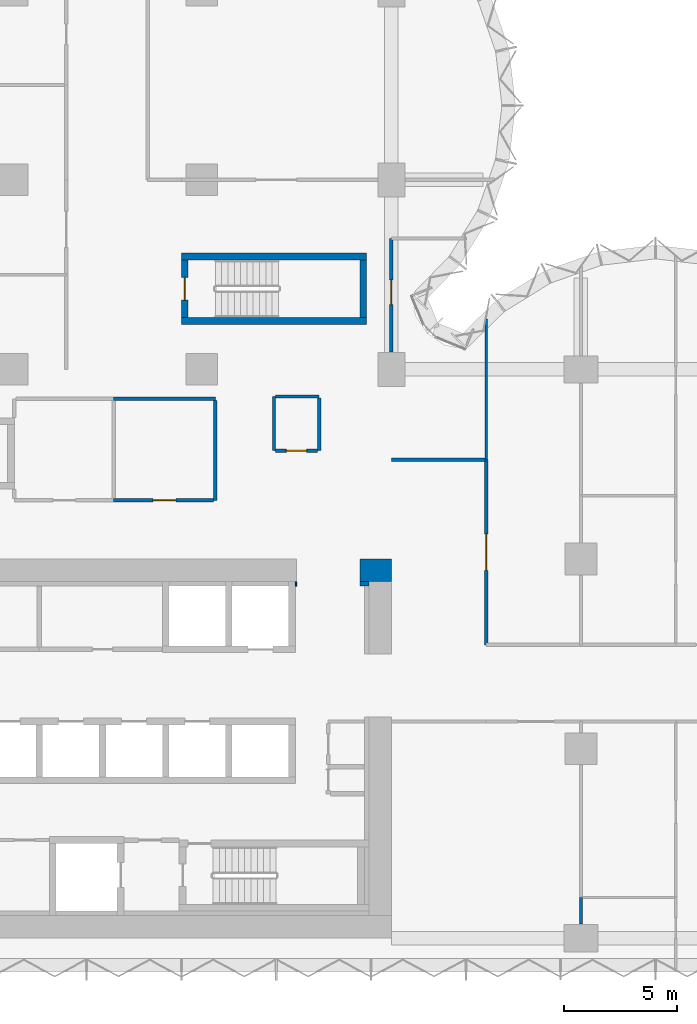
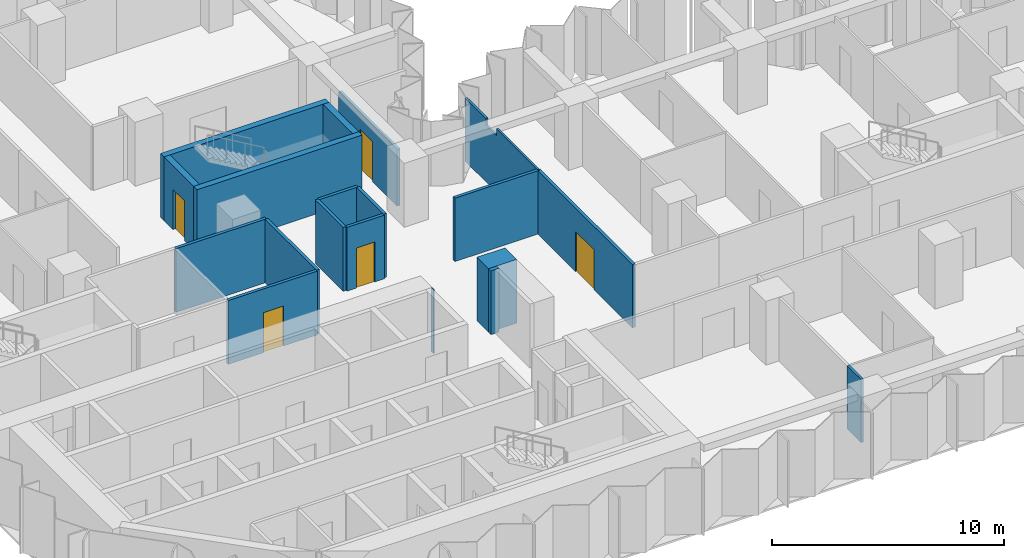
# One storey, part 9 of 15: 19 walls, 5 doors, 5 openings.
"""IFC4 building model written with IfcOpenShell, lengths in metres."""

from ifc_helpers import new_model, si_unit, direction, frame, frame_2d, origin, place, context, subcontext, project, spatial, polyline, rectangle, outline, extrude, material, layer, layer_set, type_object, element, fill, save


model = new_model("IFC4")

# Units and contexts
model_context = context("Model", 3, precision=1e-05, world=origin(), true_north=direction((0.0, 1.0)))
body_context = subcontext(model_context, "Body", "Model", "MODEL_VIEW")
ifc_project = project(units=[si_unit("LENGTHUNIT", "METRE"), si_unit("AREAUNIT", "SQUARE_METRE"), si_unit("VOLUMEUNIT", "CUBIC_METRE"), si_unit("PLANEANGLEUNIT", "RADIAN"), si_unit("MASSUNIT", "GRAM", prefix="KILO")], contexts=[model_context])

# Site, building, storey
site_placement = place(None, origin())
site = spatial("IfcSite", under=ifc_project, at=site_placement, CompositionType="ELEMENT")
building_placement = place(site_placement, origin())
building = spatial("IfcBuilding", under=site, at=building_placement, Name="Brevane Broadcast Tower", CompositionType="ELEMENT")
storey_placement = place(building_placement, frame((0.0, 0.0, 43.699951171875)))
storey = spatial("IfcBuildingStorey", under=building, at=storey_placement, Name="L08", CompositionType="ELEMENT", Elevation=43.699951171875)

# Walls
ifc_material_1 = material(Name="Concrete C32/40", Category="concrete")
ifc_layer_1 = layer(ifc_material_1, 0.199951171875)
ifc_layer_set_1 = layer_set([ifc_layer_1], Name="Core chase wall 200 mm")
wall_type_1 = type_object("IfcWallType", Name="Core chase wall 200 mm", PredefinedType="PARTITIONING", material=ifc_layer_set_1)
wall_1_placement = place(storey_placement, frame((23.800048828125, 15.699951171875, 0.0), z_axis=(0.0, 0.0, 1.0), x_axis=(1.0, 0.0, 0.0)))
element("IfcWall", 1, at=wall_1_placement, inside=storey, type_object=wall_type_1, Name="L08 chase wall LN2", PredefinedType="PARTITIONING", context=body_context, shape_type="SweptSolid", body=[
    extrude(rectangle(XDim=0.39990234375, YDim=0.199951171875, at=frame_2d((0.199951171875, 0.0))), origin(), (0.0, 0.0, 1.0), 3.35009765625),
])
wall_2_placement = place(storey_placement, frame((20.949951171875, 15.699951171875, 0.0), z_axis=(0.0, 0.0, 1.0), x_axis=(1.0, 0.0, 0.0)))
element("IfcWall", 2, at=wall_2_placement, inside=storey, type_object=wall_type_1, Name="L08 chase wall LN1-2-2-2-2", PredefinedType="PARTITIONING", context=body_context, shape_type="SweptSolid", body=[
    extrude(rectangle(XDim=0.050048828125, YDim=0.199951171875, at=frame_2d((0.02490234375, 0.0))), origin(), (0.0, 0.0, 1.0), 3.35009765625),
])
ifc_material_2 = material(Name="Gypsum board on steel studs", Category="steel")
ifc_layer_2 = layer(ifc_material_2, 0.14990234375)
ifc_layer_set_2 = layer_set([ifc_layer_2], Name="Core fire partition 150 mm")
wall_type_2 = type_object("IfcWallType", Name="Core fire partition 150 mm", PredefinedType="PARTITIONING", material=ifc_layer_set_2)
wall_3_placement = place(storey_placement, frame((12.89990234375, 23.89990234375, 0.0), z_axis=(0.0, 0.0, 1.0), x_axis=(1.0, 0.0, 0.0)))
element("IfcWall", 3, at=wall_3_placement, inside=storey, type_object=wall_type_2, Name="L08 partition wall P19", PredefinedType="PARTITIONING", context=body_context, shape_type="SweptSolid", body=[
    extrude(rectangle(XDim=4.5, YDim=0.14990234375, at=frame_2d((2.25, 0.0))), origin(), (0.0, 0.0, 1.0), 3.35009765625),
])
wall_4_placement = place(storey_placement, frame((17.39990234375, 23.824951171875, 0.0), z_axis=(0.0, 0.0, 1.0), x_axis=(0.0, -1.0, 0.0)))
element("IfcWall", 4, at=wall_4_placement, inside=storey, type_object=wall_type_2, Name="L08 partition wall P20", PredefinedType="PARTITIONING", context=body_context, shape_type="SweptSolid", body=[
    extrude(rectangle(XDim=4.425048828125, YDim=0.14990234375, at=frame_2d((2.21240234375, 0.0))), origin(), (0.0, 0.0, 1.0), 3.35009765625),
])

# Wall, opening, door
wall_5_placement = place(storey_placement, frame((17.324951171875, 19.39990234375, 0.0), z_axis=(0.0, 0.0, 1.0), x_axis=(-1.0, 0.0, 0.0)))
wall_5 = element("IfcWall", 5, at=wall_5_placement, inside=storey, type_object=wall_type_2, Name="L08 partition wall P21", PredefinedType="PARTITIONING", context=body_context, shape_type="SweptSolid", body=[
    extrude(rectangle(XDim=4.425048828125, YDim=0.14990234375, at=frame_2d((2.21240234375, 0.0))), origin(), (0.0, 0.0, 1.0), 3.35009765625),
])
opening_1_placement = place(wall_5_placement, frame((1.675048828125, 0.0, 0.0)))
opening_1 = element("IfcOpeningElement", 6, at=opening_1_placement, cuts=wall_5, Name="Opening L08-K26", PredefinedType="OPENING", context=body_context, shape_type="SweptSolid", body=[
    extrude(rectangle(XDim=1.0, YDim=2.10009765625, at=frame_2d((0.5, 1.050048828125))), frame((0.0, 0.0849609375, 0.0), z_axis=(0.0, -1.0, 0.0), x_axis=(1.0, 0.0, 0.0)), (0.0, 0.0, 1.0), 0.169921875),
])
ifc_material_3 = material(Name="Steel", Category="steel")
door_type_1 = type_object("IfcDoorType", Name="Service room door 1000 x 2100", OperationType="SINGLE_SWING_LEFT", PredefinedType="DOOR", material=ifc_material_3)
door_1_placement = place(opening_1_placement, origin())
door_1 = element("IfcDoor", 7, at=door_1_placement, inside=storey, type_object=door_type_1, Name="Door L08-K26", OperationType="SINGLE_SWING_RIGHT", OverallHeight=2.10009765625, OverallWidth=1.0, PredefinedType="DOOR", context=body_context, shape_type="SweptSolid", body=[
    extrude(rectangle(XDim=1.0, YDim=2.10009765625, at=frame_2d((0.5, 1.050048828125))), frame((0.0, 0.02490234375, 0.0), z_axis=(0.0, -1.0, 0.0), x_axis=(1.0, 0.0, 0.0)), (0.0, 0.0, 1.0), 0.050048828125),
])
fill(opening_1, door_1)

# Walls
wall_6_placement = place(storey_placement, frame((20.0, 21.60009765625, 0.0), z_axis=(0.0, 0.0, 1.0), x_axis=(0.0, 1.0, 0.0)))
element("IfcWall", 8, at=wall_6_placement, inside=storey, type_object=wall_type_2, Name="L08 partition wall P25", PredefinedType="PARTITIONING", context=body_context, shape_type="SweptSolid", body=[
    extrude(rectangle(XDim=2.39990234375, YDim=0.14990234375, at=frame_2d((1.199951171875, 0.0))), origin(), (0.0, 0.0, 1.0), 3.35009765625),
])
wall_7_placement = place(storey_placement, frame((20.074951171875, 24.0, 0.0), z_axis=(0.0, 0.0, 1.0), x_axis=(1.0, 0.0, 0.0)))
element("IfcWall", 9, at=wall_7_placement, inside=storey, type_object=wall_type_2, Name="L08 partition wall P26", PredefinedType="PARTITIONING", context=body_context, shape_type="SweptSolid", body=[
    extrude(rectangle(XDim=1.925048828125, YDim=0.14990234375, at=frame_2d((0.96240234375, 0.0))), origin(), (0.0, 0.0, 1.0), 3.35009765625),
])
wall_8_placement = place(storey_placement, frame((22.0, 23.925048828125, 0.0), z_axis=(0.0, 0.0, 1.0), x_axis=(0.0, -1.0, 0.0)))
element("IfcWall", 10, at=wall_8_placement, inside=storey, type_object=wall_type_2, Name="L08 partition wall P27", PredefinedType="PARTITIONING", context=body_context, shape_type="SweptSolid", body=[
    extrude(rectangle(XDim=2.324951171875, YDim=0.14990234375, at=frame_2d((1.16259765625, 0.0))), origin(), (0.0, 0.0, 1.0), 3.35009765625),
])

# Wall, opening, door
wall_9_placement = place(storey_placement, frame((21.925048828125, 21.60009765625, 0.0), z_axis=(0.0, 0.0, 1.0), x_axis=(-1.0, 0.0, 0.0)))
wall_9 = element("IfcWall", 11, at=wall_9_placement, inside=storey, type_object=wall_type_2, Name="L08 partition wall P28", PredefinedType="PARTITIONING", context=body_context, shape_type="SweptSolid", body=[
    extrude(rectangle(XDim=1.85009765625, YDim=0.14990234375, at=frame_2d((0.925048828125, 0.0))), origin(), (0.0, 0.0, 1.0), 3.35009765625),
])
opening_2_placement = place(wall_9_placement, frame((0.47509765625, 0.0, 0.0)))
opening_2 = element("IfcOpeningElement", 12, at=opening_2_placement, cuts=wall_9, Name="Opening L08-K24", PredefinedType="OPENING", context=body_context, shape_type="SweptSolid", body=[
    extrude(rectangle(XDim=0.89990234375, YDim=2.10009765625, at=frame_2d((0.449951171875, 1.050048828125))), frame((0.0, 0.0849609375, 0.0), z_axis=(0.0, -1.0, 0.0), x_axis=(1.0, 0.0, 0.0)), (0.0, 0.0, 1.0), 0.169921875),
])
ifc_material_4 = material(Name="Timber", Category="wood")
door_type_2 = type_object("IfcDoorType", Name="Toilet door 900 x 2100", OperationType="SINGLE_SWING_LEFT", PredefinedType="DOOR", material=ifc_material_4)
door_2_placement = place(opening_2_placement, origin())
door_2 = element("IfcDoor", 13, at=door_2_placement, inside=storey, type_object=door_type_2, Name="Door L08-K24", OperationType="SINGLE_SWING_RIGHT", OverallHeight=2.10009765625, OverallWidth=0.89990234375, PredefinedType="DOOR", context=body_context, shape_type="SweptSolid", body=[
    extrude(rectangle(XDim=0.89990234375, YDim=2.10009765625, at=frame_2d((0.449951171875, 1.050048828125))), frame((0.0, 0.02490234375, 0.0), z_axis=(0.0, -1.0, 0.0), x_axis=(1.0, 0.0, 0.0)), (0.0, 0.0, 1.0), 0.050048828125),
])
fill(opening_2, door_2)

# Walls
ifc_material_5 = material(Name="Concrete C80/95", Category="concrete")
ifc_layer_3 = layer(ifc_material_5, 1.0)
ifc_layer_set_3 = layer_set([ifc_layer_3], Name="Core wall 1000 mm C80/95")
wall_type_3 = type_object("IfcWallType", Name="Core wall 1000 mm C80/95", PredefinedType="SHEAR", material=ifc_layer_set_3)
wall_10_placement = place(storey_placement, frame((23.800048828125, 16.300048828125, 0.0), z_axis=(0.0, 0.0, 1.0), x_axis=(1.0, 0.0, 0.0)))
element("IfcWall", 14, at=wall_10_placement, inside=storey, type_object=wall_type_3, Name="L08 outer wall WN2", PredefinedType="SHEAR", context=body_context, shape_type="SweptSolid", body=[
    extrude(rectangle(XDim=1.39990234375, YDim=1.0, at=frame_2d((0.699951171875, 0.0))), origin(), (0.0, 0.0, 1.0), 3.35009765625),
])
ifc_layer_4 = layer(ifc_material_5, 0.300048828125)
ifc_layer_set_4 = layer_set([ifc_layer_4], Name="Core wall 300 mm C80/95")
wall_type_4 = type_object("IfcWallType", Name="Core wall 300 mm C80/95", PredefinedType="SHEAR", material=ifc_layer_set_4)
for number, where, z_axis, x_axis, name in (
    (15, (15.89990234375, 27.35009765625, 0.0), (0.0, 0.0, 1.0), (1.0, 0.0, 0.0), "L08 stair wall ST-3-S"),
    (16, (15.89990234375, 30.199951171875, 0.0), (0.0, 0.0, 1.0), (1.0, 0.0, 0.0), "L08 stair wall ST-3-N"),
):
    element("IfcWall", number, at=place(storey_placement, frame(where, z_axis=z_axis, x_axis=x_axis)), inside=storey, type_object=wall_type_4, Name=name, PredefinedType="SHEAR", context=body_context, shape_type="SweptSolid", body=[
        extrude(rectangle(XDim=8.2001953125, YDim=0.300048828125, at=frame_2d((4.10009765625, 0.0))), origin(), (0.0, 0.0, 1.0), 3.35009765625),
    ])

# Wall, opening, door
wall_11_placement = place(storey_placement, frame((16.050048828125, 27.5, 0.0), z_axis=(0.0, 0.0, 1.0), x_axis=(0.0, 1.0, 0.0)))
wall_11 = element("IfcWall", 17, at=wall_11_placement, inside=storey, type_object=wall_type_4, Name="L08 stair wall ST-3-W", PredefinedType="SHEAR", context=body_context, shape_type="SweptSolid", body=[
    extrude(rectangle(XDim=2.550048828125, YDim=0.300048828125, at=frame_2d((1.27490234375, 0.0))), origin(), (0.0, 0.0, 1.0), 3.35009765625),
])
opening_3_placement = place(wall_11_placement, frame((0.77490234375, 0.0, 0.0)))
opening_3 = element("IfcOpeningElement", 18, at=opening_3_placement, cuts=wall_11, Name="Opening L08-K14", PredefinedType="OPENING", context=body_context, shape_type="SweptSolid", body=[
    extrude(rectangle(XDim=1.0, YDim=2.10009765625, at=frame_2d((0.5, 1.050048828125))), frame((0.0, 0.159912109375, 0.0), z_axis=(0.0, -1.0, 0.0), x_axis=(1.0, 0.0, 0.0)), (0.0, 0.0, 1.0), 0.320068359375),
])
door_type_3 = type_object("IfcDoorType", Name="Stair door 1000 x 2100", OperationType="SINGLE_SWING_LEFT", PredefinedType="DOOR", material=ifc_material_3)
door_3_placement = place(opening_3_placement, origin())
door_3 = element("IfcDoor", 19, at=door_3_placement, inside=storey, type_object=door_type_3, Name="Door L08-K14", OperationType="SINGLE_SWING_RIGHT", OverallHeight=2.10009765625, OverallWidth=1.0, PredefinedType="DOOR", context=body_context, shape_type="SweptSolid", body=[
    extrude(rectangle(XDim=1.0, YDim=2.10009765625, at=frame_2d((0.5, 1.050048828125))), frame((0.0, 0.02490234375, 0.0), z_axis=(0.0, -1.0, 0.0), x_axis=(1.0, 0.0, 0.0)), (0.0, 0.0, 1.0), 0.050048828125),
])
fill(opening_3, door_3)

# Walls
wall_12_placement = place(storey_placement, frame((23.949951171875, 27.5, 0.0), z_axis=(0.0, 0.0, 1.0), x_axis=(0.0, 1.0, 0.0)))
element("IfcWall", 20, at=wall_12_placement, inside=storey, type_object=wall_type_4, Name="L08 stair wall ST-3-E", PredefinedType="SHEAR", context=body_context, shape_type="SweptSolid", body=[
    extrude(rectangle(XDim=2.550048828125, YDim=0.300048828125, at=frame_2d((1.27490234375, 0.0))), origin(), (0.0, 0.0, 1.0), 3.35009765625),
])
ifc_material_6 = material(Name="Gypsum board partition")
ifc_layer_5 = layer(ifc_material_6, 0.10009765625)
ifc_layer_set_5 = layer_set([ifc_layer_5], Name="PARTITION 100 STUD")
wall_type_5 = type_object("IfcWallType", Name="PARTITION 100 STUD", PredefinedType="PARTITIONING", material=ifc_layer_set_5)
wall_13_placement = place(storey_placement, frame((29.39990234375, 27.428955078125, 0.0), z_axis=(0.0, 0.0, 1.0), x_axis=(0.0, -1.0, 0.0)))
element("IfcWall", 21, at=wall_13_placement, inside=storey, type_object=wall_type_5, Name="Partition G01-004", PredefinedType="PARTITIONING", context=body_context, shape_type="SweptSolid", body=[
    extrude(outline(polyline([(0.0, 0.0), (6.22900390625, 0.0), (6.22900390625, 3.330078125), (2.678955078125, 3.330078125), (2.677001953125, 2.97998046875), (1.781005859375, 2.97998046875), (1.779052734375, 3.330078125), (0.154052734375, 3.330078125), (0.0, 3.330078125), (0.0, 0.0)])), frame((0.0, 0.050048828125, 0.0), z_axis=(0.0, -1.0, 0.0), x_axis=(1.0, 0.0, 0.0)), (0.0, 0.0, 1.0), 0.10009765625),
])
ifc_layer_6 = layer(ifc_material_6, 0.125)
ifc_layer_set_6 = layer_set([ifc_layer_6], Name="PARTITION 125 ACOUSTIC")
wall_type_6 = type_object("IfcWallType", Name="PARTITION 125 ACOUSTIC", PredefinedType="PARTITIONING", material=ifc_layer_set_6)
wall_14_placement = place(storey_placement, frame((33.60009765625, 1.800048828125, 0.0), z_axis=(0.0, 0.0, 1.0), x_axis=(0.0, -1.0, 0.0)))
element("IfcWall", 22, at=wall_14_placement, inside=storey, type_object=wall_type_6, Name="Partition G01-022", PredefinedType="PARTITIONING", context=body_context, shape_type="SweptSolid", body=[
    extrude(rectangle(XDim=1.179931640625, YDim=0.125, at=frame_2d((0.58984375, 0.0))), origin(), (0.0, 0.0, 1.0), 3.330078125),
])
ifc_layer_7 = layer(ifc_material_6, 0.14990234375)
ifc_layer_set_7 = layer_set([ifc_layer_7], Name="PARTITION 150 EI 60")
wall_type_7 = type_object("IfcWallType", Name="PARTITION 150 EI 60", PredefinedType="PARTITIONING", material=ifc_layer_set_7)
wall_15_placement = place(storey_placement, frame((25.199951171875, 21.199951171875, 0.0), z_axis=(0.0, 0.0, 1.0), x_axis=(1.0, 0.0, 0.0)))
element("IfcWall", 23, at=wall_15_placement, inside=storey, type_object=wall_type_7, Name="Partition G01-001", PredefinedType="PARTITIONING", context=body_context, shape_type="SweptSolid", body=[
    extrude(rectangle(XDim=4.199951171875, YDim=0.14990234375, at=frame_2d((2.10009765625, 0.0))), origin(), (0.0, 0.0, 1.0), 3.330078125),
])

# Wall, opening, door
wall_16_placement = place(storey_placement, frame((29.39990234375, 21.199951171875, 0.0), z_axis=(0.0, 0.0, 1.0), x_axis=(0.0, -1.0, 0.0)))
wall_16 = element("IfcWall", 24, at=wall_16_placement, inside=storey, type_object=wall_type_7, Name="Partition G01-003", PredefinedType="PARTITIONING", context=body_context, shape_type="SweptSolid", body=[
    extrude(rectangle(XDim=8.199951171875, YDim=0.14990234375, at=frame_2d((4.10009765625, 0.0))), origin(), (0.0, 0.0, 1.0), 3.330078125),
])
opening_4_placement = place(wall_16_placement, frame((3.300048828125, 0.0, 0.0)))
opening_4 = element("IfcOpeningElement", 25, at=opening_4_placement, cuts=wall_16, Name="Opening D07-011", PredefinedType="OPENING", context=body_context, shape_type="SweptSolid", body=[
    extrude(rectangle(XDim=1.60009765625, YDim=2.10009765625, at=frame_2d((0.800048828125, 1.050048828125))), frame((0.0, 0.0849609375, 0.0), z_axis=(0.0, -1.0, 0.0), x_axis=(1.0, 0.0, 0.0)), (0.0, 0.0, 1.0), 0.169921875),
])
ifc_material_7 = material(Name="Fire-rated timber door leaf", Category="wood")
door_type_4 = type_object("IfcDoorType", Name="DOOR DOUBLE 1600 FD30S", OperationType="DOUBLE_DOOR_SINGLE_SWING", PredefinedType="DOOR", material=ifc_material_7)
door_4_placement = place(opening_4_placement, origin())
door_4 = element("IfcDoor", 26, at=door_4_placement, inside=storey, type_object=door_type_4, Name="Door D07-011", OperationType="DOUBLE_DOOR_SINGLE_SWING", OverallHeight=2.10009765625, OverallWidth=1.60009765625, PredefinedType="DOOR", context=body_context, shape_type="SweptSolid", body=[
    extrude(rectangle(XDim=1.60009765625, YDim=2.10009765625, at=frame_2d((0.800048828125, 1.050048828125))), frame((0.0, 0.02490234375, 0.0), z_axis=(0.0, -1.0, 0.0), x_axis=(1.0, 0.0, 0.0)), (0.0, 0.0, 1.0), 0.050048828125),
])
fill(opening_4, door_4)

wall_17_placement = place(storey_placement, frame((25.199951171875, 31.0, 0.0), z_axis=(0.0, 0.0, 1.0), x_axis=(0.0, -1.0, 0.0)))
wall_17 = element("IfcWall", 27, at=wall_17_placement, inside=storey, type_object=wall_type_7, Name="Partition G01-005", PredefinedType="PARTITIONING", context=body_context, shape_type="SweptSolid", body=[
    extrude(outline(polyline([(0.0, 0.0), (5.030029296875, 0.0), (5.030029296875, 2.97998046875), (0.0, 2.97998046875), (0.0, 0.0)])), frame((0.0, 0.074951171875, 0.0), z_axis=(0.0, -1.0, 0.0), x_axis=(1.0, 0.0, 0.0)), (0.0, 0.0, 1.0), 0.14990234375),
])
opening_5_placement = place(wall_17_placement, frame((1.830078125, 0.0, 0.0)))
opening_5 = element("IfcOpeningElement", 28, at=opening_5_placement, cuts=wall_17, Name="Opening D07-001", PredefinedType="OPENING", context=body_context, shape_type="SweptSolid", body=[
    extrude(rectangle(XDim=1.10009765625, YDim=2.10009765625, at=frame_2d((0.550048828125, 1.050048828125))), frame((0.0, 0.0849609375, 0.0), z_axis=(0.0, -1.0, 0.0), x_axis=(1.0, 0.0, 0.0)), (0.0, 0.0, 1.0), 0.169921875),
])
door_type_5 = type_object("IfcDoorType", Name="DOOR SINGLE 1100 FD30S", OperationType="SINGLE_SWING_LEFT", PredefinedType="DOOR", material=ifc_material_7)
door_5_placement = place(opening_5_placement, origin())
door_5 = element("IfcDoor", 29, at=door_5_placement, inside=storey, type_object=door_type_5, Name="Door D07-001", OperationType="SINGLE_SWING_RIGHT", OverallHeight=2.10009765625, OverallWidth=1.10009765625, PredefinedType="DOOR", context=body_context, shape_type="SweptSolid", body=[
    extrude(rectangle(XDim=1.10009765625, YDim=2.10009765625, at=frame_2d((0.550048828125, 1.050048828125))), frame((0.0, 0.02490234375, 0.0), z_axis=(0.0, -1.0, 0.0), x_axis=(1.0, 0.0, 0.0)), (0.0, 0.0, 1.0), 0.050048828125),
])
fill(opening_5, door_5)

save(model, "model.ifc")
